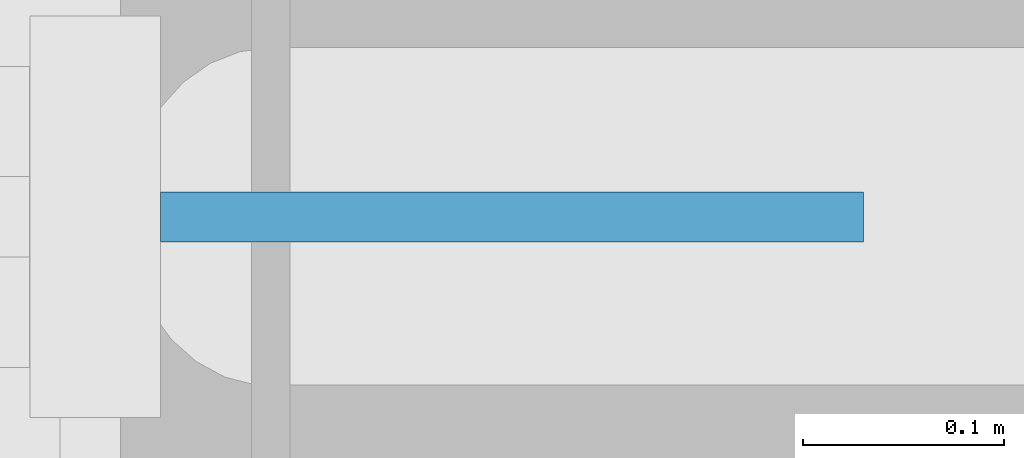
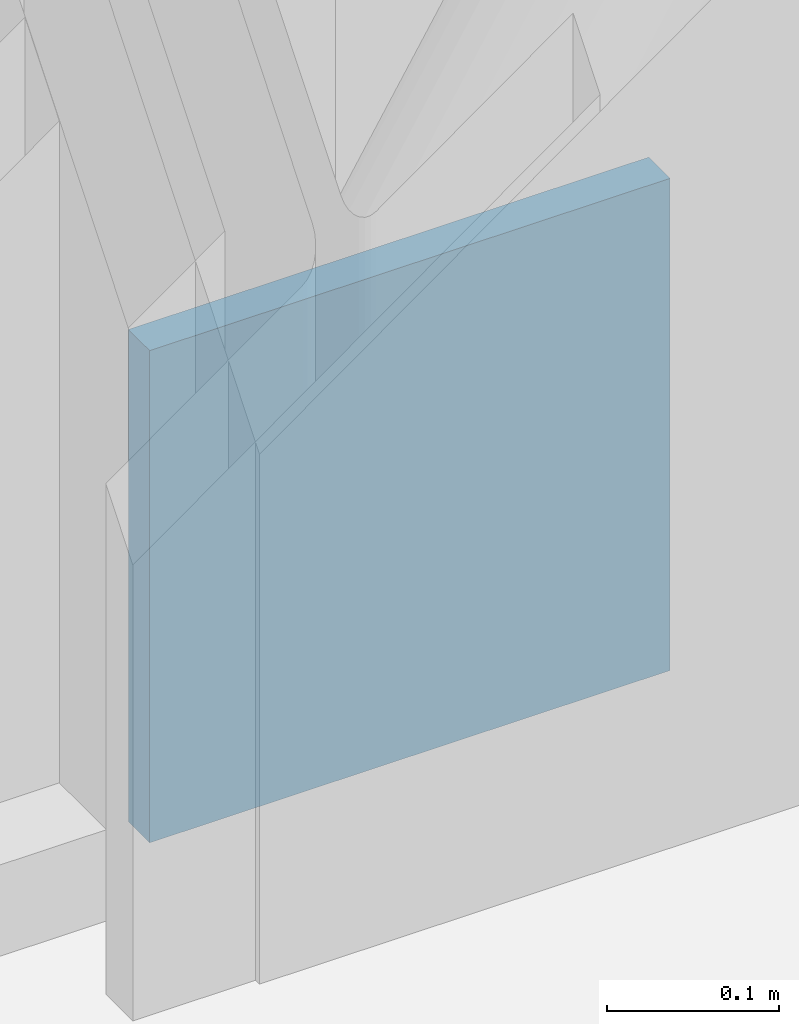
# One storey, part 82 of 98: 1 discrete accessory.
"""IFC4 building model written with IfcOpenShell, lengths in metres."""

from ifc_helpers import new_model, si_unit, direction, frame, origin, origin_2d, place, context, subcontext, project, spatial, rectangle, extrude, material, type_object, element, save


model = new_model("IFC4")

# Units and contexts
model_context = context("Model", 3, precision=1e-05, world=origin(), true_north=direction((0.0, 1.0)))
body_context = subcontext(model_context, "Body", "Model", "MODEL_VIEW")
ifc_project = project(units=[si_unit("LENGTHUNIT", "METRE"), si_unit("AREAUNIT", "SQUARE_METRE"), si_unit("VOLUMEUNIT", "CUBIC_METRE"), si_unit("PLANEANGLEUNIT", "RADIAN"), si_unit("MASSUNIT", "GRAM", prefix="KILO")], contexts=[model_context])

# Site, building, storey
site_placement = place(None, origin())
site = spatial("IfcSite", under=ifc_project, at=site_placement, CompositionType="ELEMENT")
building_placement = place(site_placement, origin())
building = spatial("IfcBuilding", under=site, at=building_placement, Name="Mirzam Square Science Centre", CompositionType="ELEMENT")
storey_placement = place(building_placement, origin())
storey = spatial("IfcBuildingStorey", under=building, at=storey_placement, Name="L00", CompositionType="ELEMENT", Elevation=0.0)

# Discrete accessory
ifc_material = material(Name="Steel S355", Category="steel")
discrete_accessory_type = type_object("IfcDiscreteAccessoryType", Name="BK-BRACE-GUSSET", PredefinedType="BRACKET", material=ifc_material)
discrete_accessory_placement = place(storey_placement, frame((120.1201171875, 111.60009765625, -0.005126953125), z_axis=(0.0, 0.0, 1.0), x_axis=(1.0, 0.0, 0.0)))
element("IfcDiscreteAccessory", 1, at=discrete_accessory_placement, inside=storey, type_object=discrete_accessory_type, Name="L00 brace gusset plate 8A", PredefinedType="BRACKET", context=body_context, shape_type="SweptSolid", body=[
    extrude(rectangle(XDim=0.35009765625, YDim=0.02490234375, at=origin_2d()), origin(), (0.0, 0.0, 1.0), 0.35009765625),
])

save(model, "model.ifc")
